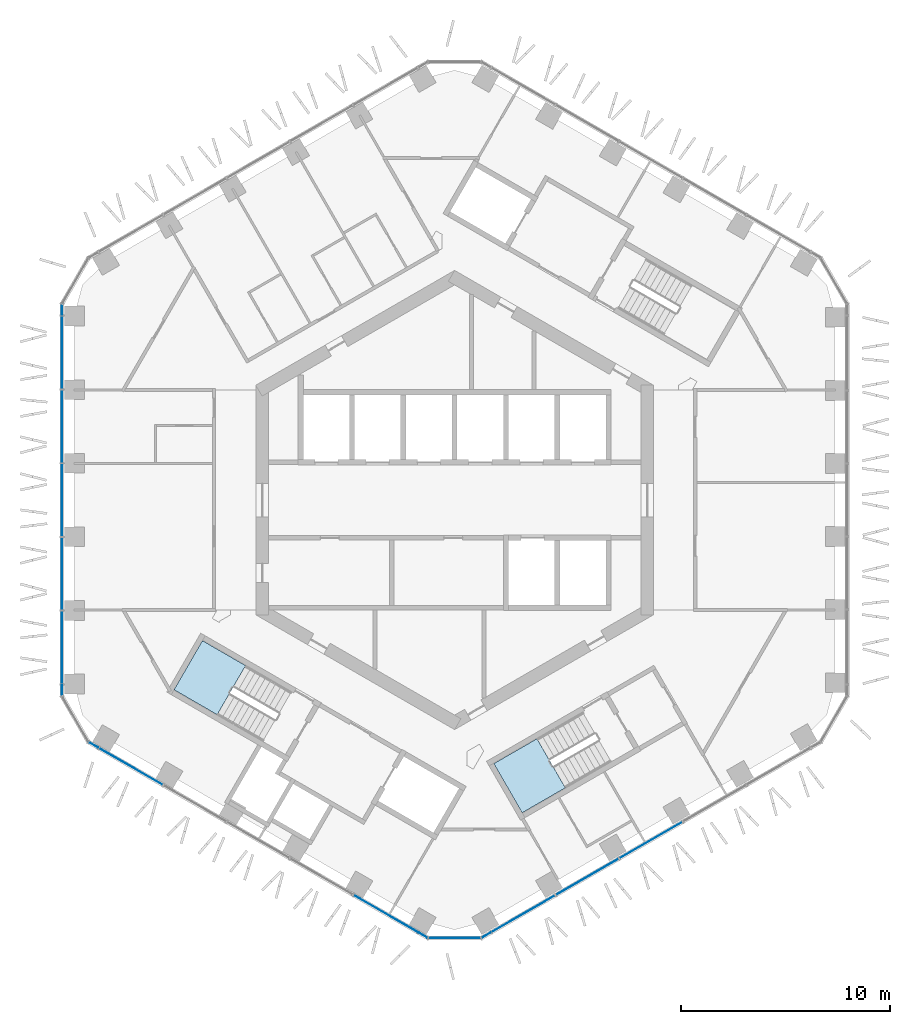
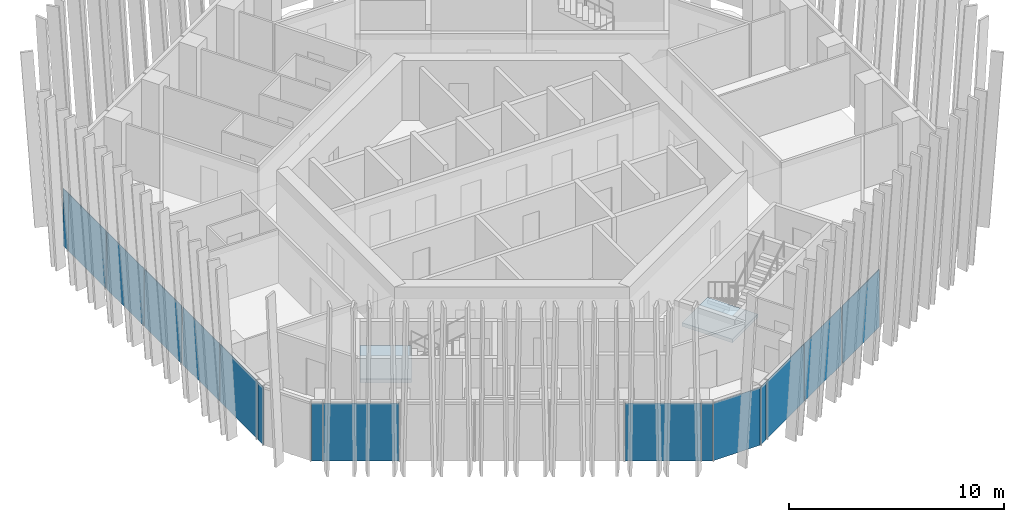
# One storey, part 9 of 21: 16 plates, 2 slabs, 8 elements without a shape of their own.
"""IFC4 building model written with IfcOpenShell, lengths in metres."""

import ifcopenshell
import ifcopenshell.guid

model = None  # the IFC model being written
_history = None  # IfcOwnerHistory: only IFC2X3 demands one
_inside = {}  # id of a spatial element -> (the spatial element, [elements in it])
_under = {}  # id of a project, library or spatial element -> (it, [spatial elements below it])
_declared = {}  # id of a project -> (the project, [libraries it declares])
_typed = {}  # id of a type object -> (the type object, [elements of that type])
_made_of = {}  # id of a material, layer set ... -> (it, [elements and type objects made of it])


def new_model(schema):
    """Start an empty IFC model of exactly this schema.

    Asked for "IFC4X3", IfcOpenShell would pick the latest addendum, in which some entities
    have other attributes; the version numbers below select the first issue.
    IFC2X3 requires an IfcOwnerHistory on every rooted entity: one is made here for all.
    """
    global model, _history
    if schema == "IFC4X3":
        model = ifcopenshell.file(schema_version=(4, 3, 0, 0))
    else:
        model = ifcopenshell.file(schema=schema)
    _inside.clear()
    _under.clear()
    _declared.clear()
    _typed.clear()
    _made_of.clear()
    _history = None
    if model.schema == "IFC2X3":
        org = make("IfcOrganization", Name="unknown")
        user = make(
            "IfcPersonAndOrganization",
            ThePerson=make("IfcPerson", FamilyName="unknown"),
            TheOrganization=org,
        )
        app = make(
            "IfcApplication",
            ApplicationDeveloper=org,
            Version="unknown",
            ApplicationFullName="unknown",
            ApplicationIdentifier="unknown",
        )
        _history = make(
            "IfcOwnerHistory",
            OwningUser=user,
            OwningApplication=app,
            ChangeAction="ADDED",
            CreationDate=0,
        )
    return model


def make(cls, **values):
    """One entity of the class cls with the attributes given. An attribute that is None is left unset."""
    return model.create_entity(
        cls, **{name: value for name, value in values.items() if value is not None}
    )


def rooted(cls, **values):
    """An entity with a GlobalId (a new one), such as an element, a storey or a relation."""
    return make(cls, GlobalId=ifcopenshell.guid.new(), OwnerHistory=_history, **values)


def si_unit(unit_type, name, prefix=None):
    """IfcSIUnit, for example si_unit("LENGTHUNIT", "METRE", prefix="MILLI")."""
    return make("IfcSIUnit", UnitType=unit_type, Prefix=prefix, Name=name)


def assignment(units):
    """IfcUnitAssignment: the units of a project."""
    return None if units is None else make("IfcUnitAssignment", Units=units)


def point(xyz):
    """IfcCartesianPoint."""
    return None if xyz is None else make("IfcCartesianPoint", Coordinates=xyz)


def direction(xyz):
    """IfcDirection."""
    return None if xyz is None else make("IfcDirection", DirectionRatios=xyz)


def frame(location, z_axis=None, x_axis=None):
    """IfcAxis2Placement3D, a coordinate frame: its origin and axes. An axis left out is left unset."""
    return make(
        "IfcAxis2Placement3D",
        Location=point(location),
        Axis=direction(z_axis),
        RefDirection=direction(x_axis),
    )


def frame_2d(location, x_axis=None):
    """IfcAxis2Placement2D, a coordinate frame in the plane: its origin and x axis."""
    return make(
        "IfcAxis2Placement2D", Location=point(location), RefDirection=direction(x_axis)
    )


def origin():
    """The frame at (0, 0, 0) with its axes left unset."""
    return frame((0.0, 0.0, 0.0))


def origin_2d():
    """The frame at (0, 0) in the plane with its x axis left unset."""
    return frame_2d((0.0, 0.0))


def place(relative_to, where):
    """IfcLocalPlacement: puts the frame where relative to a parent placement (None: the world)."""
    return make(
        "IfcLocalPlacement", PlacementRelTo=relative_to, RelativePlacement=where
    )


def context(
    kind, dimensions, precision=None, world=None, true_north=None, identifier=None
):
    """IfcGeometricRepresentationContext, for example the 3D "Model" context."""
    return make(
        "IfcGeometricRepresentationContext",
        ContextIdentifier=identifier,
        ContextType=kind,
        CoordinateSpaceDimension=dimensions,
        Precision=precision,
        WorldCoordinateSystem=world,
        TrueNorth=true_north,
    )


def subcontext(parent, identifier, kind, view, scale=None):
    """IfcGeometricRepresentationSubContext, for example "Body" below "Model"."""
    return make(
        "IfcGeometricRepresentationSubContext",
        ContextIdentifier=identifier,
        ContextType=kind,
        ParentContext=parent,
        TargetScale=scale,
        TargetView=view,
    )


def project(units=None, contexts=None):
    """IfcProject with its units and contexts."""
    return rooted(
        "IfcProject",
        Name="project",
        RepresentationContexts=contexts,
        UnitsInContext=assignment(units),
    )


def spatial(cls, under=None, at=None, **own):
    """A site, building, storey or space (cls), placed at a placement, below another one or the project."""
    s = rooted(cls, ObjectPlacement=at, **own)
    if under is not None:
        _under.setdefault(under.id(), (under, []))[1].append(s)
    return s


def polyline(points):
    """IfcPolyline through the points."""
    return make("IfcPolyline", Points=[point(p) for p in points])


def profile(cls, at=None, kind="AREA", **sizes):
    """A parametric profile (cls). Its sizes go by their IFC names, for example OverallWidth=200.0."""
    return make(cls, ProfileType=kind, Position=at, **sizes)


def rectangle(**sizes):
    """IfcRectangleProfileDef."""
    return profile("IfcRectangleProfileDef", **sizes)


def outline(outer, holes=None, kind="AREA"):
    """IfcArbitraryClosedProfileDef: a profile drawn as a closed curve; with holes, ...WithVoids."""
    if holes is None:
        return make("IfcArbitraryClosedProfileDef", ProfileType=kind, OuterCurve=outer)
    return make(
        "IfcArbitraryProfileDefWithVoids",
        ProfileType=kind,
        OuterCurve=outer,
        InnerCurves=holes,
    )


def extrude(swept, where, along, depth):
    """IfcExtrudedAreaSolid: the profile swept, set in the frame where, extruded along a direction by depth."""
    return make(
        "IfcExtrudedAreaSolid",
        SweptArea=swept,
        Position=where,
        ExtrudedDirection=direction(along),
        Depth=depth,
    )


def shape(context_of_items, identifier, shape_type, items):
    """IfcShapeRepresentation: the items that make up one representation, for example the "Body"."""
    return make(
        "IfcShapeRepresentation",
        ContextOfItems=context_of_items,
        RepresentationIdentifier=identifier,
        RepresentationType=shape_type,
        Items=items,
    )


def material(Name=None, Category=None):
    """IfcMaterial."""
    return make("IfcMaterial", Name=Name, Category=Category)


def layer(
    of_material, thickness, ventilated=None, Name=None, Category=None, Priority=None
):
    """IfcMaterialLayer: one layer of a wall or slab, of a material (None: an air gap)."""
    return make(
        "IfcMaterialLayer",
        Material=of_material,
        LayerThickness=thickness,
        IsVentilated=ventilated,
        Name=Name,
        Category=Category,
        Priority=Priority,
    )


def layer_set(layers, Name=None):
    """IfcMaterialLayerSet."""
    return make("IfcMaterialLayerSet", MaterialLayers=layers, LayerSetName=Name)


def made_of(thing, what):
    """Note that an element or type object is made of a material, layer set ...; save() writes the relation."""
    if what is not None:
        _made_of.setdefault(what.id(), (what, []))[1].append(thing)
    return thing


def type_object(cls, material=None, **own):
    """A type object (cls), such as IfcWallType, which elements share."""
    return made_of(rooted(cls, **own), material)


def element(
    cls,
    number,
    at=None,
    inside=None,
    cuts=None,
    type_object=None,
    material=None,
    context=None,
    identifier="Body",
    shape_type=None,
    held_by="IfcProductDefinitionShape",
    body=None,
    shapes=None,
    **own,
):
    """One element of the class cls, such as IfcWall. Its Tag is "e" and its number.

    at: its placement. inside: the storey or other place that contains it. cuts: it is an
    opening in that element (IfcRelVoidsElement). A single representation is given by context,
    identifier, shape_type and body (its items); several are given by shapes. held_by: the class
    of the entity that holds the representations. save() writes the other relations.
    """
    e = rooted(cls, Tag="e%d" % number, ObjectPlacement=at, **own)
    if body is not None:
        shapes = [shape(context, identifier, shape_type, body)]
    if shapes is not None:
        e.Representation = make(held_by, Representations=shapes)
    if inside is not None:
        _inside.setdefault(inside.id(), (inside, []))[1].append(e)
    if cuts is not None:
        rooted(
            "IfcRelVoidsElement", RelatingBuildingElement=cuts, RelatedOpeningElement=e
        )
    if type_object is not None:
        _typed.setdefault(type_object.id(), (type_object, []))[1].append(e)
    return made_of(e, material)


def aggregate(whole, parts):
    """IfcRelAggregates: a whole, such as a stair, and the parts it consists of."""
    return rooted("IfcRelAggregates", RelatingObject=whole, RelatedObjects=parts)


def save(model, path):
    """Write the relations noted so far, then the file.

    IfcRelAggregates (storeys below a building ...), IfcRelContainedInSpatialStructure (elements
    in a storey), IfcRelDefinesByType, IfcRelAssociatesMaterial and IfcRelDeclares: one each for
    every whole, place, type object, material and project.
    """
    for whole, parts in _under.values():
        aggregate(whole, parts)
    for where, things in _inside.values():
        rooted(
            "IfcRelContainedInSpatialStructure",
            RelatedElements=things,
            RelatingStructure=where,
        )
    for kind, things in _typed.values():
        rooted("IfcRelDefinesByType", RelatedObjects=things, RelatingType=kind)
    for what, things in _made_of.values():
        rooted("IfcRelAssociatesMaterial", RelatedObjects=things, RelatingMaterial=what)
    for by, libraries in _declared.values():
        rooted("IfcRelDeclares", RelatingContext=by, RelatedDefinitions=libraries)
    model.write(path)


model = new_model("IFC4")

# Units and contexts
model_context = context("Model", 3, precision=1e-05, world=origin(), true_north=direction((0.0, 1.0)))
body_context = subcontext(model_context, "Body", "Model", "MODEL_VIEW")
ifc_project = project(units=[si_unit("LENGTHUNIT", "METRE"), si_unit("AREAUNIT", "SQUARE_METRE"), si_unit("VOLUMEUNIT", "CUBIC_METRE"), si_unit("PLANEANGLEUNIT", "RADIAN"), si_unit("MASSUNIT", "GRAM", prefix="KILO")], contexts=[model_context])

# Site, building, storey
site_placement = place(None, origin())
site = spatial("IfcSite", under=ifc_project, at=site_placement, CompositionType="ELEMENT")
building_placement = place(site_placement, origin())
building = spatial("IfcBuilding", under=site, at=building_placement, Name="Ayvan Gate Tower", CompositionType="ELEMENT")
storey_placement = place(building_placement, frame((0.0, 0.0, 152.699951171875)))
storey = spatial("IfcBuildingStorey", under=building, at=storey_placement, Name="L40", CompositionType="ELEMENT", Elevation=152.699951171875)

# Stair, slab
ifc_material_1 = material(Name="Concrete C40/50", Category="concrete")
stair_type = type_object("IfcStairType", Name="ST-EXIT", PredefinedType="HALF_TURN_STAIR", material=ifc_material_1)
stair_1_placement = place(storey_placement, origin())
stair_1 = element("IfcStair", 1, at=stair_1_placement, inside=storey, type_object=stair_type, Name="L40 Exit Stair S2", PredefinedType="HALF_TURN_STAIR")
ifc_layer_1 = layer(ifc_material_1, 0.199951171875)
ifc_layer_set_1 = layer_set([ifc_layer_1], Name="Concrete C40/50")
slab_type = type_object("IfcSlabType", Name="SL-LANDING-200", PredefinedType="LANDING", material=ifc_layer_set_1)
slab_1_placement = place(storey_placement, frame((0.0, 0.0, 1.5)))
slab_1 = element("IfcSlab", 2, at=slab_1_placement, type_object=slab_type, Name="STS2 landing 1", PredefinedType="LANDING", context=body_context, shape_type="SweptSolid", body=[
    extrude(outline(polyline([(-9.988525390625, -7.91064453125), (-12.049560546875, -6.720458984375), (-13.404541015625, -9.0673828125), (-11.343505859375, -10.257568359375), (-9.988525390625, -7.91064453125)])), origin(), (0.0, 0.0, 1.0), 0.199951171875),
])
aggregate(stair_1, [slab_1])

stair_2_placement = place(storey_placement, origin())
stair_2 = element("IfcStair", 3, at=stair_2_placement, inside=storey, type_object=stair_type, Name="L40 Exit Stair S3", PredefinedType="HALF_TURN_STAIR")
slab_2_placement = place(storey_placement, frame((0.0, 0.0, 1.5)))
slab_2 = element("IfcSlab", 4, at=slab_2_placement, type_object=slab_type, Name="STS3 landing 1", PredefinedType="LANDING", context=body_context, shape_type="SweptSolid", body=[
    extrude(outline(polyline([(3.93505859375, -11.405517578125), (1.873779296875, -12.595458984375), (3.228759765625, -14.9423828125), (5.2900390625, -13.75244140625), (3.93505859375, -11.405517578125)])), origin(), (0.0, 0.0, 1.0), 0.199951171875),
])
aggregate(stair_2, [slab_2])

# Curtain wall, plates
ifc_material_2 = material(Name="Bronze anodised aluminium", Category="aluminium")
ifc_layer_2 = layer(ifc_material_2, 0.199951171875)
ifc_layer_set_2 = layer_set([ifc_layer_2], Name="Bronze anodised aluminium")
curtain_wall_type_1 = type_object("IfcCurtainWallType", Name="Stick curtain wall CW-2", PredefinedType="NOTDEFINED", material=ifc_layer_set_2)
curtain_wall_1_placement = place(storey_placement, origin())
curtain_wall_1 = element("IfcCurtainWall", 5, at=curtain_wall_1_placement, inside=storey, type_object=curtain_wall_type_1, Name="Stick curtain wall CW-2 L40", PredefinedType="NOTDEFINED")
ifc_material_3 = material(Name="Clear low-iron laminated glass", Category="glass")
ifc_layer_3 = layer(ifc_material_3, 0.028076171875)
ifc_layer_set_3 = layer_set([ifc_layer_3], Name="Clear low-iron laminated glass")
plate_type_1 = type_object("IfcPlateType", Name="Stick curtain wall CW-2 glass panel", PredefinedType="CURTAIN_PANEL", material=ifc_layer_set_3)
plate_1_placement = place(storey_placement, frame((-18.761474609375, 7.05712890625, 0.0), z_axis=(0.0, 0.0, 1.0), x_axis=(0.0, -1.0, 0.0)))
plate_1 = element("IfcPlate", 6, at=plate_1_placement, type_object=plate_type_1, Name="CW-2 glass panel 1", PredefinedType="CURTAIN_PANEL", context=body_context, shape_type="SweptSolid", body=[
    extrude(rectangle(XDim=3.5029296875, YDim=0.028076171875, at=origin_2d()), origin(), (0.0, 0.0, 1.0), 3.280029296875),
])
plate_2_placement = place(storey_placement, frame((-18.761474609375, 3.513671875, 0.0), z_axis=(0.0, 0.0, 1.0), x_axis=(0.0, -1.0, 0.0)))
plate_2 = element("IfcPlate", 7, at=plate_2_placement, type_object=plate_type_1, Name="CW-2 glass panel 2", PredefinedType="CURTAIN_PANEL", context=body_context, shape_type="SweptSolid", body=[
    extrude(rectangle(XDim=3.444091796875, YDim=0.028076171875, at=origin_2d()), origin(), (0.0, 0.0, 1.0), 3.280029296875),
])
plate_3_placement = place(storey_placement, frame((-18.761474609375, -0.000244140625, 0.0), z_axis=(0.0, 0.0, 1.0), x_axis=(0.0, -1.0, 0.0)))
plate_3 = element("IfcPlate", 8, at=plate_3_placement, type_object=plate_type_1, Name="CW-2 glass panel 3", PredefinedType="CURTAIN_PANEL", context=body_context, shape_type="SweptSolid", body=[
    extrude(rectangle(XDim=3.444091796875, YDim=0.028076171875, at=origin_2d()), origin(), (0.0, 0.0, 1.0), 3.280029296875),
])
plate_4_placement = place(storey_placement, frame((-18.761474609375, -3.514404296875, 0.0), z_axis=(0.0, 0.0, 1.0), x_axis=(0.0, -1.0, 0.0)))
plate_4 = element("IfcPlate", 9, at=plate_4_placement, type_object=plate_type_1, Name="CW-2 glass panel 4", PredefinedType="CURTAIN_PANEL", context=body_context, shape_type="SweptSolid", body=[
    extrude(rectangle(XDim=3.444091796875, YDim=0.028076171875, at=origin_2d()), origin(), (0.0, 0.0, 1.0), 3.280029296875),
])
plate_5_placement = place(storey_placement, frame((-18.761474609375, -7.0576171875, 0.0), z_axis=(0.0, 0.0, 1.0), x_axis=(0.0, -1.0, 0.0)))
plate_5 = element("IfcPlate", 10, at=plate_5_placement, type_object=plate_type_1, Name="CW-2 glass panel 5", PredefinedType="CURTAIN_PANEL", context=body_context, shape_type="SweptSolid", body=[
    extrude(rectangle(XDim=3.502197265625, YDim=0.028076171875, at=origin_2d()), origin(), (0.0, 0.0, 1.0), 3.280029296875),
])
aggregate(curtain_wall_1, [plate_1, plate_2, plate_3, plate_4, plate_5])

curtain_wall_2_placement = place(storey_placement, origin())
curtain_wall_2 = element("IfcCurtainWall", 11, at=curtain_wall_2_placement, inside=storey, type_object=curtain_wall_type_1, Name="Stick curtain wall CW-2 L40", PredefinedType="NOTDEFINED")
plate_6_placement = place(storey_placement, frame((-15.4794921875, -12.726806640625, 0.0), z_axis=(0.0, 0.0, 1.0), x_axis=(0.866025403784, -0.5, 0.0)))
plate_6 = element("IfcPlate", 12, at=plate_6_placement, type_object=plate_type_1, Name="CW-2 glass panel 1", PredefinedType="CURTAIN_PANEL", context=body_context, shape_type="SweptSolid", body=[
    extrude(rectangle(XDim=3.532958984375, YDim=0.028076171875, at=origin_2d()), origin(), (0.0, 0.0, 1.0), 3.280029296875),
])
plate_7_placement = place(storey_placement, frame((-3.2822265625, -19.76904296875, 0.0), z_axis=(0.0, 0.0, 1.0), x_axis=(0.866025403784, -0.5, 0.0)))
plate_7 = element("IfcPlate", 13, at=plate_7_placement, type_object=plate_type_1, Name="CW-2 glass panel 5", PredefinedType="CURTAIN_PANEL", context=body_context, shape_type="SweptSolid", body=[
    extrude(rectangle(XDim=3.533203125, YDim=0.028076171875, at=origin_2d()), origin(), (0.0, 0.0, 1.0), 3.280029296875),
])
aggregate(curtain_wall_2, [plate_6, plate_7])

curtain_wall_3_placement = place(storey_placement, origin())
curtain_wall_3 = element("IfcCurtainWall", 14, at=curtain_wall_3_placement, inside=storey, type_object=curtain_wall_type_1, Name="Stick curtain wall CW-2 L40", PredefinedType="NOTDEFINED")
plate_8_placement = place(storey_placement, frame((3.26904296875, -19.776611328125, 0.0), z_axis=(0.0, 0.0, 1.0), x_axis=(0.866025403784, 0.5, 0.0)))
plate_8 = element("IfcPlate", 15, at=plate_8_placement, type_object=plate_type_1, Name="CW-2 glass panel 1", PredefinedType="CURTAIN_PANEL", context=body_context, shape_type="SweptSolid", body=[
    extrude(rectangle(XDim=3.5029296875, YDim=0.028076171875, at=origin_2d()), origin(), (0.0, 0.0, 1.0), 3.280029296875),
])
plate_9_placement = place(storey_placement, frame((6.337890625, -18.0048828125, 0.0), z_axis=(0.0, 0.0, 1.0), x_axis=(0.866025403784, 0.5, 0.0)))
plate_9 = element("IfcPlate", 16, at=plate_9_placement, type_object=plate_type_1, Name="CW-2 glass panel 2", PredefinedType="CURTAIN_PANEL", context=body_context, shape_type="SweptSolid", body=[
    extrude(rectangle(XDim=3.444091796875, YDim=0.028076171875, at=origin_2d()), origin(), (0.0, 0.0, 1.0), 3.280029296875),
])
plate_10_placement = place(storey_placement, frame((9.381103515625, -16.247802734375, 0.0), z_axis=(0.0, 0.0, 1.0), x_axis=(0.866025403784, 0.5, 0.0)))
plate_10 = element("IfcPlate", 17, at=plate_10_placement, type_object=plate_type_1, Name="CW-2 glass panel 3", PredefinedType="CURTAIN_PANEL", context=body_context, shape_type="SweptSolid", body=[
    extrude(rectangle(XDim=3.444091796875, YDim=0.028076171875, at=origin_2d()), origin(), (0.0, 0.0, 1.0), 3.280029296875),
])
aggregate(curtain_wall_3, [plate_8, plate_9, plate_10])

# Curtain wall, plate
ifc_layer_4 = layer(ifc_material_2, 0.199951171875)
ifc_layer_set_4 = layer_set([ifc_layer_4], Name="Bronze anodised aluminium")
curtain_wall_type_2 = type_object("IfcCurtainWallType", Name="Stick curtain wall CW-6", PredefinedType="NOTDEFINED", material=ifc_layer_set_4)
curtain_wall_4_placement = place(storey_placement, origin())
curtain_wall_4 = element("IfcCurtainWall", 18, at=curtain_wall_4_placement, inside=storey, type_object=curtain_wall_type_2, Name="Stick curtain wall CW-6 L40", PredefinedType="NOTDEFINED")
ifc_layer_5 = layer(ifc_material_3, 0.028076171875)
ifc_layer_set_5 = layer_set([ifc_layer_5], Name="Clear low-iron laminated glass")
plate_type_2 = type_object("IfcPlateType", Name="Stick curtain wall CW-6 glass panel", PredefinedType="CURTAIN_PANEL", material=ifc_layer_set_5)
plate_11_placement = place(storey_placement, frame((-18.761474609375, 9.09375, 0.0), z_axis=(0.0, 0.0, 1.0), x_axis=(0.0, -1.0, 0.0)))
plate_11 = element("IfcPlate", 19, at=plate_11_placement, type_object=plate_type_2, Name="CW-6 glass panel 3", PredefinedType="CURTAIN_PANEL", context=body_context, shape_type="SweptSolid", body=[
    extrude(rectangle(XDim=0.5, YDim=0.028076171875, at=origin_2d()), origin(), (0.0, 0.0, 1.0), 3.280029296875),
])
aggregate(curtain_wall_4, [plate_11])

# Curtain wall, plates
curtain_wall_5_placement = place(storey_placement, origin())
curtain_wall_5 = element("IfcCurtainWall", 20, at=curtain_wall_5_placement, inside=storey, type_object=curtain_wall_type_2, Name="Stick curtain wall CW-6 L40", PredefinedType="NOTDEFINED")
plate_12_placement = place(storey_placement, frame((-18.761474609375, -9.09375, 0.0), z_axis=(0.0, 0.0, 1.0), x_axis=(0.0, -1.0, 0.0)))
plate_12 = element("IfcPlate", 21, at=plate_12_placement, type_object=plate_type_2, Name="CW-6 glass panel 1", PredefinedType="CURTAIN_PANEL", context=body_context, shape_type="SweptSolid", body=[
    extrude(rectangle(XDim=0.5, YDim=0.028076171875, at=origin_2d()), origin(), (0.0, 0.0, 1.0), 3.280029296875),
])
plate_13_placement = place(storey_placement, frame((-17.256103515625, -11.701171875, 0.0), z_axis=(0.0, 0.0, 1.0), x_axis=(0.866025403784, -0.5, 0.0)))
plate_13 = element("IfcPlate", 22, at=plate_13_placement, type_object=plate_type_2, Name="CW-6 glass panel 3", PredefinedType="CURTAIN_PANEL", context=body_context, shape_type="SweptSolid", body=[
    extrude(rectangle(XDim=0.5, YDim=0.028076171875, at=origin_2d()), origin(), (0.0, 0.0, 1.0), 3.280029296875),
])
aggregate(curtain_wall_5, [plate_12, plate_13])

curtain_wall_6_placement = place(storey_placement, origin())
curtain_wall_6 = element("IfcCurtainWall", 23, at=curtain_wall_6_placement, inside=storey, type_object=curtain_wall_type_2, Name="Stick curtain wall CW-6 L40", PredefinedType="NOTDEFINED")
plate_14_placement = place(storey_placement, frame((-1.50537109375, -20.794677734375, 0.0), z_axis=(0.0, 0.0, 1.0), x_axis=(0.866025403784, -0.5, 0.0)))
plate_14 = element("IfcPlate", 24, at=plate_14_placement, type_object=plate_type_2, Name="CW-6 glass panel 1", PredefinedType="CURTAIN_PANEL", context=body_context, shape_type="SweptSolid", body=[
    extrude(rectangle(XDim=0.5, YDim=0.028076171875, at=origin_2d()), origin(), (0.0, 0.0, 1.0), 3.280029296875),
])
plate_15_placement = place(storey_placement, frame((0.0, -20.932373046875, 0.0), z_axis=(0.0, 0.0, 1.0), x_axis=(1.0, 0.0, 0.0)))
plate_15 = element("IfcPlate", 25, at=plate_15_placement, type_object=plate_type_2, Name="CW-6 glass panel 2", PredefinedType="CURTAIN_PANEL", context=body_context, shape_type="SweptSolid", body=[
    extrude(rectangle(XDim=2.484619140625, YDim=0.028076171875, at=origin_2d()), origin(), (0.0, 0.0, 1.0), 3.280029296875),
])
plate_16_placement = place(storey_placement, frame((1.50537109375, -20.794677734375, 0.0), z_axis=(0.0, 0.0, 1.0), x_axis=(0.866025403784, 0.5, 0.0)))
plate_16 = element("IfcPlate", 26, at=plate_16_placement, type_object=plate_type_2, Name="CW-6 glass panel 3", PredefinedType="CURTAIN_PANEL", context=body_context, shape_type="SweptSolid", body=[
    extrude(rectangle(XDim=0.5, YDim=0.028076171875, at=origin_2d()), origin(), (0.0, 0.0, 1.0), 3.280029296875),
])
aggregate(curtain_wall_6, [plate_14, plate_15, plate_16])

save(model, "model.ifc")
